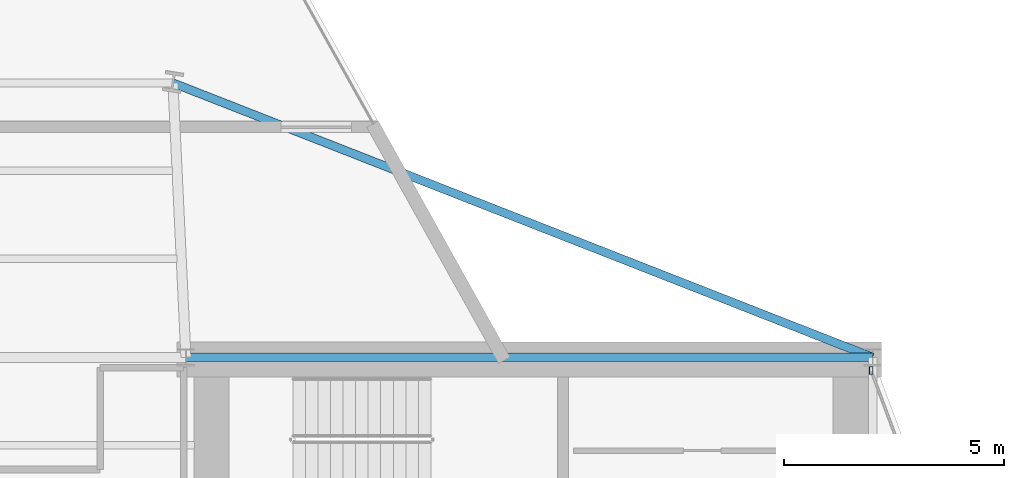
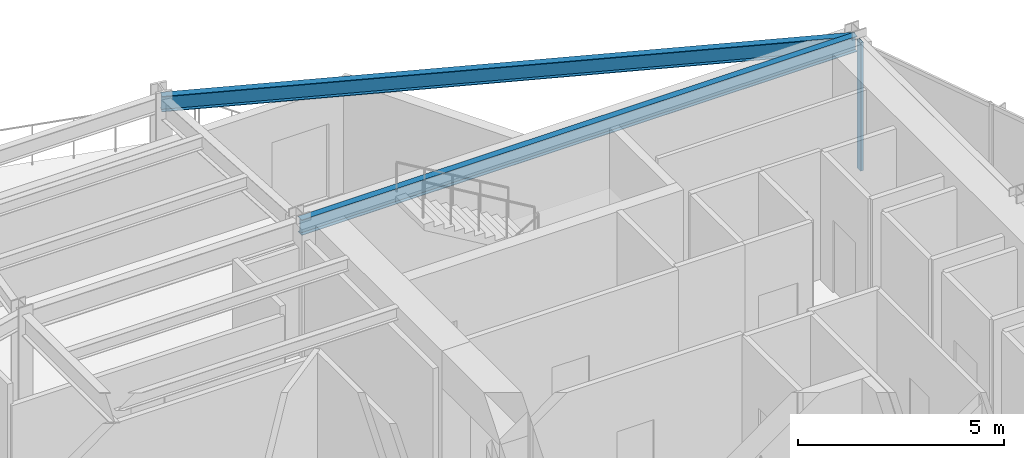
# One storey, part 16 of 23: 2 beams, 1 member, 1 element without a shape of its own.
"""IFC4 building model written with IfcOpenShell, lengths in metres."""

import ifcopenshell
import ifcopenshell.guid

model = None  # the IFC model being written
_history = None  # IfcOwnerHistory: only IFC2X3 demands one
_inside = {}  # id of a spatial element -> (the spatial element, [elements in it])
_under = {}  # id of a project, library or spatial element -> (it, [spatial elements below it])
_declared = {}  # id of a project -> (the project, [libraries it declares])
_typed = {}  # id of a type object -> (the type object, [elements of that type])
_made_of = {}  # id of a material, layer set ... -> (it, [elements and type objects made of it])


def new_model(schema):
    """Start an empty IFC model of exactly this schema.

    Asked for "IFC4X3", IfcOpenShell would pick the latest addendum, in which some entities
    have other attributes; the version numbers below select the first issue.
    IFC2X3 requires an IfcOwnerHistory on every rooted entity: one is made here for all.
    """
    global model, _history
    if schema == "IFC4X3":
        model = ifcopenshell.file(schema_version=(4, 3, 0, 0))
    else:
        model = ifcopenshell.file(schema=schema)
    _inside.clear()
    _under.clear()
    _declared.clear()
    _typed.clear()
    _made_of.clear()
    _history = None
    if model.schema == "IFC2X3":
        org = make("IfcOrganization", Name="unknown")
        user = make(
            "IfcPersonAndOrganization",
            ThePerson=make("IfcPerson", FamilyName="unknown"),
            TheOrganization=org,
        )
        app = make(
            "IfcApplication",
            ApplicationDeveloper=org,
            Version="unknown",
            ApplicationFullName="unknown",
            ApplicationIdentifier="unknown",
        )
        _history = make(
            "IfcOwnerHistory",
            OwningUser=user,
            OwningApplication=app,
            ChangeAction="ADDED",
            CreationDate=0,
        )
    return model


def make(cls, **values):
    """One entity of the class cls with the attributes given. An attribute that is None is left unset."""
    return model.create_entity(
        cls, **{name: value for name, value in values.items() if value is not None}
    )


def rooted(cls, **values):
    """An entity with a GlobalId (a new one), such as an element, a storey or a relation."""
    return make(cls, GlobalId=ifcopenshell.guid.new(), OwnerHistory=_history, **values)


def si_unit(unit_type, name, prefix=None):
    """IfcSIUnit, for example si_unit("LENGTHUNIT", "METRE", prefix="MILLI")."""
    return make("IfcSIUnit", UnitType=unit_type, Prefix=prefix, Name=name)


def assignment(units):
    """IfcUnitAssignment: the units of a project."""
    return None if units is None else make("IfcUnitAssignment", Units=units)


def point(xyz):
    """IfcCartesianPoint."""
    return None if xyz is None else make("IfcCartesianPoint", Coordinates=xyz)


def direction(xyz):
    """IfcDirection."""
    return None if xyz is None else make("IfcDirection", DirectionRatios=xyz)


def frame(location, z_axis=None, x_axis=None):
    """IfcAxis2Placement3D, a coordinate frame: its origin and axes. An axis left out is left unset."""
    return make(
        "IfcAxis2Placement3D",
        Location=point(location),
        Axis=direction(z_axis),
        RefDirection=direction(x_axis),
    )


def frame_2d(location, x_axis=None):
    """IfcAxis2Placement2D, a coordinate frame in the plane: its origin and x axis."""
    return make(
        "IfcAxis2Placement2D", Location=point(location), RefDirection=direction(x_axis)
    )


def origin():
    """The frame at (0, 0, 0) with its axes left unset."""
    return frame((0.0, 0.0, 0.0))


def origin_2d():
    """The frame at (0, 0) in the plane with its x axis left unset."""
    return frame_2d((0.0, 0.0))


def place(relative_to, where):
    """IfcLocalPlacement: puts the frame where relative to a parent placement (None: the world)."""
    return make(
        "IfcLocalPlacement", PlacementRelTo=relative_to, RelativePlacement=where
    )


def context(
    kind, dimensions, precision=None, world=None, true_north=None, identifier=None
):
    """IfcGeometricRepresentationContext, for example the 3D "Model" context."""
    return make(
        "IfcGeometricRepresentationContext",
        ContextIdentifier=identifier,
        ContextType=kind,
        CoordinateSpaceDimension=dimensions,
        Precision=precision,
        WorldCoordinateSystem=world,
        TrueNorth=true_north,
    )


def subcontext(parent, identifier, kind, view, scale=None):
    """IfcGeometricRepresentationSubContext, for example "Body" below "Model"."""
    return make(
        "IfcGeometricRepresentationSubContext",
        ContextIdentifier=identifier,
        ContextType=kind,
        ParentContext=parent,
        TargetScale=scale,
        TargetView=view,
    )


def project(units=None, contexts=None):
    """IfcProject with its units and contexts."""
    return rooted(
        "IfcProject",
        Name="project",
        RepresentationContexts=contexts,
        UnitsInContext=assignment(units),
    )


def spatial(cls, under=None, at=None, **own):
    """A site, building, storey or space (cls), placed at a placement, below another one or the project."""
    s = rooted(cls, ObjectPlacement=at, **own)
    if under is not None:
        _under.setdefault(under.id(), (under, []))[1].append(s)
    return s


def profile(cls, at=None, kind="AREA", **sizes):
    """A parametric profile (cls). Its sizes go by their IFC names, for example OverallWidth=200.0."""
    return make(cls, ProfileType=kind, Position=at, **sizes)


def hollow_rectangle(**sizes):
    """IfcRectangleHollowProfileDef."""
    return profile("IfcRectangleHollowProfileDef", **sizes)


def i_section(**sizes):
    """IfcIShapeProfileDef."""
    return profile("IfcIShapeProfileDef", **sizes)


def extrude(swept, where, along, depth):
    """IfcExtrudedAreaSolid: the profile swept, set in the frame where, extruded along a direction by depth."""
    return make(
        "IfcExtrudedAreaSolid",
        SweptArea=swept,
        Position=where,
        ExtrudedDirection=direction(along),
        Depth=depth,
    )


def shape(context_of_items, identifier, shape_type, items):
    """IfcShapeRepresentation: the items that make up one representation, for example the "Body"."""
    return make(
        "IfcShapeRepresentation",
        ContextOfItems=context_of_items,
        RepresentationIdentifier=identifier,
        RepresentationType=shape_type,
        Items=items,
    )


def material(Name=None, Category=None):
    """IfcMaterial."""
    return make("IfcMaterial", Name=Name, Category=Category)


def layer(
    of_material, thickness, ventilated=None, Name=None, Category=None, Priority=None
):
    """IfcMaterialLayer: one layer of a wall or slab, of a material (None: an air gap)."""
    return make(
        "IfcMaterialLayer",
        Material=of_material,
        LayerThickness=thickness,
        IsVentilated=ventilated,
        Name=Name,
        Category=Category,
        Priority=Priority,
    )


def layer_set(layers, Name=None):
    """IfcMaterialLayerSet."""
    return make("IfcMaterialLayerSet", MaterialLayers=layers, LayerSetName=Name)


def material_profile(
    of_material, cross_section, Name=None, Category=None, Priority=None
):
    """IfcMaterialProfile: a cross section and its material."""
    return make(
        "IfcMaterialProfile",
        Name=Name,
        Material=of_material,
        Profile=cross_section,
        Priority=Priority,
        Category=Category,
    )


def profile_set(profiles, Name=None, composite=None):
    """IfcMaterialProfileSet."""
    return make(
        "IfcMaterialProfileSet",
        Name=Name,
        MaterialProfiles=profiles,
        CompositeProfile=composite,
    )


def made_of(thing, what):
    """Note that an element or type object is made of a material, layer set ...; save() writes the relation."""
    if what is not None:
        _made_of.setdefault(what.id(), (what, []))[1].append(thing)
    return thing


def type_object(cls, material=None, **own):
    """A type object (cls), such as IfcWallType, which elements share."""
    return made_of(rooted(cls, **own), material)


def element(
    cls,
    number,
    at=None,
    inside=None,
    cuts=None,
    type_object=None,
    material=None,
    context=None,
    identifier="Body",
    shape_type=None,
    held_by="IfcProductDefinitionShape",
    body=None,
    shapes=None,
    **own,
):
    """One element of the class cls, such as IfcWall. Its Tag is "e" and its number.

    at: its placement. inside: the storey or other place that contains it. cuts: it is an
    opening in that element (IfcRelVoidsElement). A single representation is given by context,
    identifier, shape_type and body (its items); several are given by shapes. held_by: the class
    of the entity that holds the representations. save() writes the other relations.
    """
    e = rooted(cls, Tag="e%d" % number, ObjectPlacement=at, **own)
    if body is not None:
        shapes = [shape(context, identifier, shape_type, body)]
    if shapes is not None:
        e.Representation = make(held_by, Representations=shapes)
    if inside is not None:
        _inside.setdefault(inside.id(), (inside, []))[1].append(e)
    if cuts is not None:
        rooted(
            "IfcRelVoidsElement", RelatingBuildingElement=cuts, RelatedOpeningElement=e
        )
    if type_object is not None:
        _typed.setdefault(type_object.id(), (type_object, []))[1].append(e)
    return made_of(e, material)


def aggregate(whole, parts):
    """IfcRelAggregates: a whole, such as a stair, and the parts it consists of."""
    return rooted("IfcRelAggregates", RelatingObject=whole, RelatedObjects=parts)


def save(model, path):
    """Write the relations noted so far, then the file.

    IfcRelAggregates (storeys below a building ...), IfcRelContainedInSpatialStructure (elements
    in a storey), IfcRelDefinesByType, IfcRelAssociatesMaterial and IfcRelDeclares: one each for
    every whole, place, type object, material and project.
    """
    for whole, parts in _under.values():
        aggregate(whole, parts)
    for where, things in _inside.values():
        rooted(
            "IfcRelContainedInSpatialStructure",
            RelatedElements=things,
            RelatingStructure=where,
        )
    for kind, things in _typed.values():
        rooted("IfcRelDefinesByType", RelatedObjects=things, RelatingType=kind)
    for what, things in _made_of.values():
        rooted("IfcRelAssociatesMaterial", RelatedObjects=things, RelatingMaterial=what)
    for by, libraries in _declared.values():
        rooted("IfcRelDeclares", RelatingContext=by, RelatedDefinitions=libraries)
    model.write(path)


model = new_model("IFC4")

# Units and contexts
model_context = context("Model", 3, precision=1e-05, world=origin(), true_north=direction((0.0, 1.0)))
body_context = subcontext(model_context, "Body", "Model", "MODEL_VIEW")
ifc_project = project(units=[si_unit("LENGTHUNIT", "METRE"), si_unit("AREAUNIT", "SQUARE_METRE"), si_unit("VOLUMEUNIT", "CUBIC_METRE"), si_unit("PLANEANGLEUNIT", "RADIAN"), si_unit("MASSUNIT", "GRAM", prefix="KILO")], contexts=[model_context])

# Site, building, storey
site_placement = place(None, origin())
site = spatial("IfcSite", under=ifc_project, at=site_placement, CompositionType="ELEMENT")
building_placement = place(site_placement, origin())
building = spatial("IfcBuilding", under=site, at=building_placement, Name="Veymaron Broadcast Tower", CompositionType="ELEMENT")
storey_placement = place(building_placement, frame((0.0, 0.0, 161.39990234375)))
storey = spatial("IfcBuildingStorey", under=building, at=storey_placement, Name="L37", CompositionType="ELEMENT", Elevation=161.39990234375)

# Beams
ifc_material_1 = material(Name="Structural steel ASTM A992 Gr 50", Category="steel")
ifc_material_profile_1 = material_profile(ifc_material_1, i_section(OverallWidth=0.19091796875, OverallDepth=0.4599609375, WebThickness=0.010009765625, FlangeThickness=0.01611328125, at=origin_2d()), Name="W460X82")
ifc_profile_set_1 = profile_set([ifc_material_profile_1], Name="Structural steel ASTM A992 Gr 50")
beam_type = type_object("IfcBeamType", Name="BM-SP1", PredefinedType="SPANDREL", material=ifc_profile_set_1)
beam_1_placement = place(storey_placement, frame((39.0, 32.0, 3.580078125), z_axis=(1.0, 0.0, 0.0), x_axis=(0.0, 1.0, 0.0)))
element("IfcBeam", 1, at=beam_1_placement, inside=storey, type_object=beam_type, Name="L37 primary structural floor girder", PredefinedType="SPANDREL", context=body_context, shape_type="SweptSolid", body=[
    extrude(i_section(OverallWidth=0.19091796875, OverallDepth=0.4599609375, WebThickness=0.010009765625, FlangeThickness=0.01611328125, at=origin_2d()), origin(), (0.0, 0.0, 1.0), 15.60009765625),
])
beam_2_placement = place(storey_placement, frame((54.60009765625, 32.0, 3.580078125), z_axis=(-0.9310400863, 0.364916918905, 0.0), x_axis=(-0.364916918905, -0.9310400863, 0.0)))
element("IfcBeam", 2, at=beam_2_placement, inside=storey, type_object=beam_type, Name="L37 primary structural floor girder", PredefinedType="SPANDREL", context=body_context, shape_type="SweptSolid", body=[
    extrude(i_section(OverallWidth=0.19091796875, OverallDepth=0.4599609375, WebThickness=0.010009765625, FlangeThickness=0.01611328125, at=origin_2d()), origin(), (0.0, 0.0, 1.0), 17.072265625),
])

# Curtain wall, member
ifc_material_2 = material(Name="Anodised aluminium AA 6063-T6 and laminated low-E dark glass", Category="aluminium")
ifc_layer = layer(ifc_material_2, 0.179931640625)
ifc_layer_set = layer_set([ifc_layer], Name="Anodised aluminium AA 6063-T6 and laminated low-E dark glass")
curtain_wall_type = type_object("IfcCurtainWallType", Name="CW-SYS-03", PredefinedType="NOTDEFINED", material=ifc_layer_set)
curtain_wall_placement = place(storey_placement, origin())
curtain_wall = element("IfcCurtainWall", 3, at=curtain_wall_placement, inside=storey, type_object=curtain_wall_type, Name="L37 dark-glass curtain wall CW-L37-E4-1", PredefinedType="NOTDEFINED")
ifc_material_3 = material(Name="Anodised aluminium AA 6063-T6", Category="aluminium")
ifc_material_profile_2 = material_profile(ifc_material_3, hollow_rectangle(XDim=0.074951171875, YDim=0.179931640625, WallThickness=0.0048828125, at=origin_2d()), Name="AL180X75X5")
ifc_profile_set_2 = profile_set([ifc_material_profile_2], Name="Anodised aluminium AA 6063-T6")
member_type = type_object("IfcMemberType", Name="CW-MUL-02", PredefinedType="MULLION", material=ifc_profile_set_2)
member_placement = place(storey_placement, frame((54.562744140625, 31.69921875, 0.0), z_axis=(0.0, 0.0, 1.0), x_axis=(1.0, 0.0, 0.0)))
member = element("IfcMember", 4, at=member_placement, type_object=member_type, Name="CW-L37-E4-1 mullion 2", PredefinedType="MULLION", context=body_context, shape_type="SweptSolid", body=[
    extrude(hollow_rectangle(XDim=0.074951171875, YDim=0.179931640625, WallThickness=0.0048828125, at=origin_2d()), origin(), (0.0, 0.0, 1.0), 3.81005859375),
])
aggregate(curtain_wall, [member])

save(model, "model.ifc")
